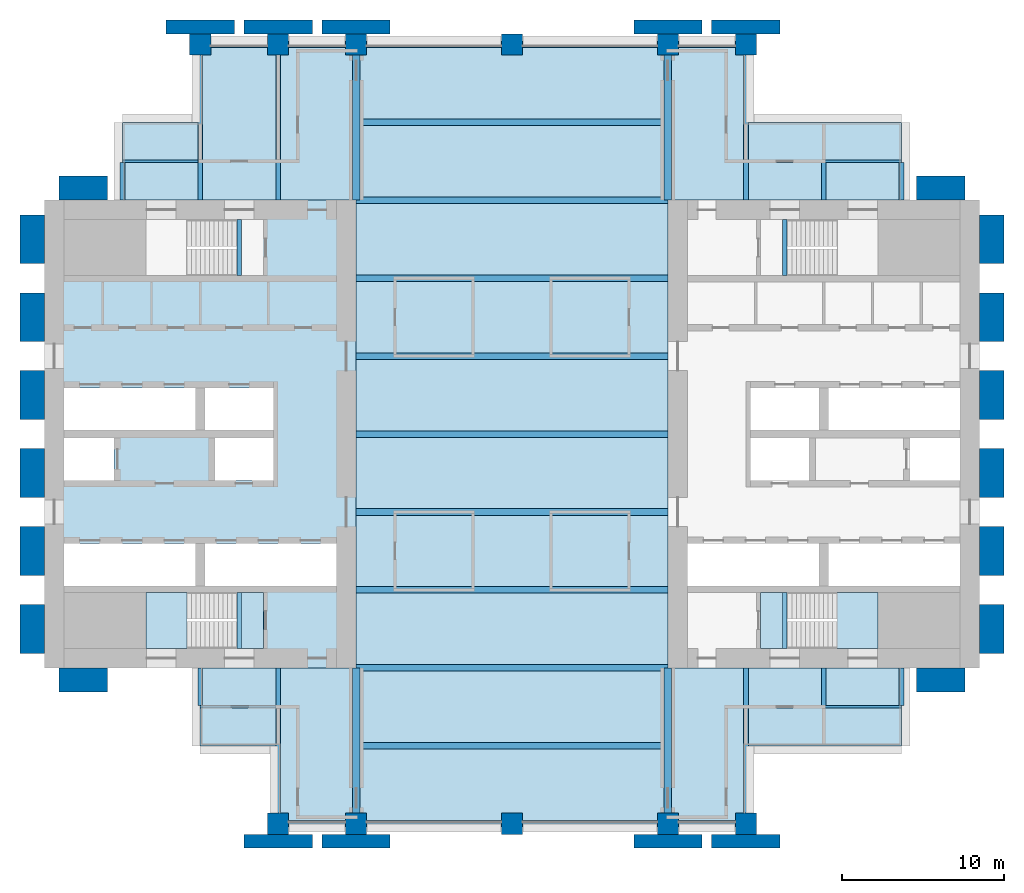
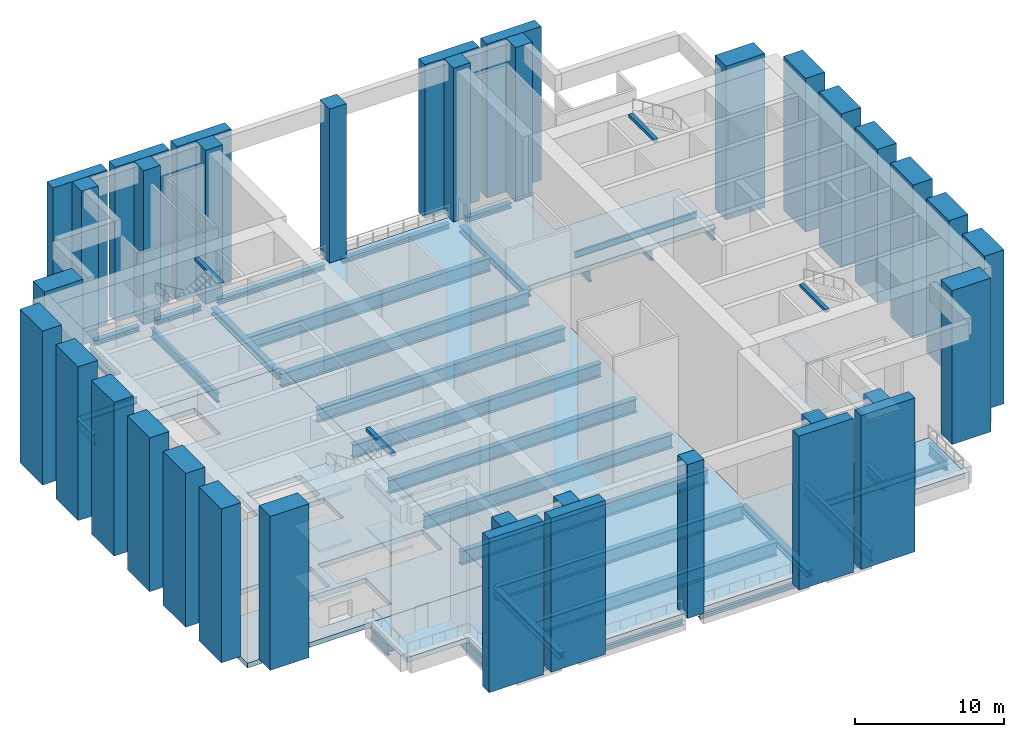
# One storey, part 1 of 10: 41 beams, 36 columns, 10 slabs, 2 elements without a shape of their own.
"""IFC4 building model written with IfcOpenShell, lengths in metres."""

import ifcopenshell
import ifcopenshell.guid

model = None  # the IFC model being written
_history = None  # IfcOwnerHistory: only IFC2X3 demands one
_inside = {}  # id of a spatial element -> (the spatial element, [elements in it])
_under = {}  # id of a project, library or spatial element -> (it, [spatial elements below it])
_declared = {}  # id of a project -> (the project, [libraries it declares])
_typed = {}  # id of a type object -> (the type object, [elements of that type])
_made_of = {}  # id of a material, layer set ... -> (it, [elements and type objects made of it])


def new_model(schema):
    """Start an empty IFC model of exactly this schema.

    Asked for "IFC4X3", IfcOpenShell would pick the latest addendum, in which some entities
    have other attributes; the version numbers below select the first issue.
    IFC2X3 requires an IfcOwnerHistory on every rooted entity: one is made here for all.
    """
    global model, _history
    if schema == "IFC4X3":
        model = ifcopenshell.file(schema_version=(4, 3, 0, 0))
    else:
        model = ifcopenshell.file(schema=schema)
    _inside.clear()
    _under.clear()
    _declared.clear()
    _typed.clear()
    _made_of.clear()
    _history = None
    if model.schema == "IFC2X3":
        org = make("IfcOrganization", Name="unknown")
        user = make(
            "IfcPersonAndOrganization",
            ThePerson=make("IfcPerson", FamilyName="unknown"),
            TheOrganization=org,
        )
        app = make(
            "IfcApplication",
            ApplicationDeveloper=org,
            Version="unknown",
            ApplicationFullName="unknown",
            ApplicationIdentifier="unknown",
        )
        _history = make(
            "IfcOwnerHistory",
            OwningUser=user,
            OwningApplication=app,
            ChangeAction="ADDED",
            CreationDate=0,
        )
    return model


def make(cls, **values):
    """One entity of the class cls with the attributes given. An attribute that is None is left unset."""
    return model.create_entity(
        cls, **{name: value for name, value in values.items() if value is not None}
    )


def rooted(cls, **values):
    """An entity with a GlobalId (a new one), such as an element, a storey or a relation."""
    return make(cls, GlobalId=ifcopenshell.guid.new(), OwnerHistory=_history, **values)


def si_unit(unit_type, name, prefix=None):
    """IfcSIUnit, for example si_unit("LENGTHUNIT", "METRE", prefix="MILLI")."""
    return make("IfcSIUnit", UnitType=unit_type, Prefix=prefix, Name=name)


def assignment(units):
    """IfcUnitAssignment: the units of a project."""
    return None if units is None else make("IfcUnitAssignment", Units=units)


def point(xyz):
    """IfcCartesianPoint."""
    return None if xyz is None else make("IfcCartesianPoint", Coordinates=xyz)


def direction(xyz):
    """IfcDirection."""
    return None if xyz is None else make("IfcDirection", DirectionRatios=xyz)


def frame(location, z_axis=None, x_axis=None):
    """IfcAxis2Placement3D, a coordinate frame: its origin and axes. An axis left out is left unset."""
    return make(
        "IfcAxis2Placement3D",
        Location=point(location),
        Axis=direction(z_axis),
        RefDirection=direction(x_axis),
    )


def frame_2d(location, x_axis=None):
    """IfcAxis2Placement2D, a coordinate frame in the plane: its origin and x axis."""
    return make(
        "IfcAxis2Placement2D", Location=point(location), RefDirection=direction(x_axis)
    )


def origin():
    """The frame at (0, 0, 0) with its axes left unset."""
    return frame((0.0, 0.0, 0.0))


def origin_2d():
    """The frame at (0, 0) in the plane with its x axis left unset."""
    return frame_2d((0.0, 0.0))


def place(relative_to, where):
    """IfcLocalPlacement: puts the frame where relative to a parent placement (None: the world)."""
    return make(
        "IfcLocalPlacement", PlacementRelTo=relative_to, RelativePlacement=where
    )


def context(
    kind, dimensions, precision=None, world=None, true_north=None, identifier=None
):
    """IfcGeometricRepresentationContext, for example the 3D "Model" context."""
    return make(
        "IfcGeometricRepresentationContext",
        ContextIdentifier=identifier,
        ContextType=kind,
        CoordinateSpaceDimension=dimensions,
        Precision=precision,
        WorldCoordinateSystem=world,
        TrueNorth=true_north,
    )


def subcontext(parent, identifier, kind, view, scale=None):
    """IfcGeometricRepresentationSubContext, for example "Body" below "Model"."""
    return make(
        "IfcGeometricRepresentationSubContext",
        ContextIdentifier=identifier,
        ContextType=kind,
        ParentContext=parent,
        TargetScale=scale,
        TargetView=view,
    )


def project(units=None, contexts=None):
    """IfcProject with its units and contexts."""
    return rooted(
        "IfcProject",
        Name="project",
        RepresentationContexts=contexts,
        UnitsInContext=assignment(units),
    )


def spatial(cls, under=None, at=None, **own):
    """A site, building, storey or space (cls), placed at a placement, below another one or the project."""
    s = rooted(cls, ObjectPlacement=at, **own)
    if under is not None:
        _under.setdefault(under.id(), (under, []))[1].append(s)
    return s


def polyline(points):
    """IfcPolyline through the points."""
    return make("IfcPolyline", Points=[point(p) for p in points])


def profile(cls, at=None, kind="AREA", **sizes):
    """A parametric profile (cls). Its sizes go by their IFC names, for example OverallWidth=200.0."""
    return make(cls, ProfileType=kind, Position=at, **sizes)


def rectangle(**sizes):
    """IfcRectangleProfileDef."""
    return profile("IfcRectangleProfileDef", **sizes)


def i_section(**sizes):
    """IfcIShapeProfileDef."""
    return profile("IfcIShapeProfileDef", **sizes)


def outline(outer, holes=None, kind="AREA"):
    """IfcArbitraryClosedProfileDef: a profile drawn as a closed curve; with holes, ...WithVoids."""
    if holes is None:
        return make("IfcArbitraryClosedProfileDef", ProfileType=kind, OuterCurve=outer)
    return make(
        "IfcArbitraryProfileDefWithVoids",
        ProfileType=kind,
        OuterCurve=outer,
        InnerCurves=holes,
    )


def extrude(swept, where, along, depth):
    """IfcExtrudedAreaSolid: the profile swept, set in the frame where, extruded along a direction by depth."""
    return make(
        "IfcExtrudedAreaSolid",
        SweptArea=swept,
        Position=where,
        ExtrudedDirection=direction(along),
        Depth=depth,
    )


def shape(context_of_items, identifier, shape_type, items):
    """IfcShapeRepresentation: the items that make up one representation, for example the "Body"."""
    return make(
        "IfcShapeRepresentation",
        ContextOfItems=context_of_items,
        RepresentationIdentifier=identifier,
        RepresentationType=shape_type,
        Items=items,
    )


def material(Name=None, Category=None):
    """IfcMaterial."""
    return make("IfcMaterial", Name=Name, Category=Category)


def layer(
    of_material, thickness, ventilated=None, Name=None, Category=None, Priority=None
):
    """IfcMaterialLayer: one layer of a wall or slab, of a material (None: an air gap)."""
    return make(
        "IfcMaterialLayer",
        Material=of_material,
        LayerThickness=thickness,
        IsVentilated=ventilated,
        Name=Name,
        Category=Category,
        Priority=Priority,
    )


def layer_set(layers, Name=None):
    """IfcMaterialLayerSet."""
    return make("IfcMaterialLayerSet", MaterialLayers=layers, LayerSetName=Name)


def material_profile(
    of_material, cross_section, Name=None, Category=None, Priority=None
):
    """IfcMaterialProfile: a cross section and its material."""
    return make(
        "IfcMaterialProfile",
        Name=Name,
        Material=of_material,
        Profile=cross_section,
        Priority=Priority,
        Category=Category,
    )


def profile_set(profiles, Name=None, composite=None):
    """IfcMaterialProfileSet."""
    return make(
        "IfcMaterialProfileSet",
        Name=Name,
        MaterialProfiles=profiles,
        CompositeProfile=composite,
    )


def made_of(thing, what):
    """Note that an element or type object is made of a material, layer set ...; save() writes the relation."""
    if what is not None:
        _made_of.setdefault(what.id(), (what, []))[1].append(thing)
    return thing


def type_object(cls, material=None, **own):
    """A type object (cls), such as IfcWallType, which elements share."""
    return made_of(rooted(cls, **own), material)


def element(
    cls,
    number,
    at=None,
    inside=None,
    cuts=None,
    type_object=None,
    material=None,
    context=None,
    identifier="Body",
    shape_type=None,
    held_by="IfcProductDefinitionShape",
    body=None,
    shapes=None,
    **own,
):
    """One element of the class cls, such as IfcWall. Its Tag is "e" and its number.

    at: its placement. inside: the storey or other place that contains it. cuts: it is an
    opening in that element (IfcRelVoidsElement). A single representation is given by context,
    identifier, shape_type and body (its items); several are given by shapes. held_by: the class
    of the entity that holds the representations. save() writes the other relations.
    """
    e = rooted(cls, Tag="e%d" % number, ObjectPlacement=at, **own)
    if body is not None:
        shapes = [shape(context, identifier, shape_type, body)]
    if shapes is not None:
        e.Representation = make(held_by, Representations=shapes)
    if inside is not None:
        _inside.setdefault(inside.id(), (inside, []))[1].append(e)
    if cuts is not None:
        rooted(
            "IfcRelVoidsElement", RelatingBuildingElement=cuts, RelatedOpeningElement=e
        )
    if type_object is not None:
        _typed.setdefault(type_object.id(), (type_object, []))[1].append(e)
    return made_of(e, material)


def aggregate(whole, parts):
    """IfcRelAggregates: a whole, such as a stair, and the parts it consists of."""
    return rooted("IfcRelAggregates", RelatingObject=whole, RelatedObjects=parts)


def save(model, path):
    """Write the relations noted so far, then the file.

    IfcRelAggregates (storeys below a building ...), IfcRelContainedInSpatialStructure (elements
    in a storey), IfcRelDefinesByType, IfcRelAssociatesMaterial and IfcRelDeclares: one each for
    every whole, place, type object, material and project.
    """
    for whole, parts in _under.values():
        aggregate(whole, parts)
    for where, things in _inside.values():
        rooted(
            "IfcRelContainedInSpatialStructure",
            RelatedElements=things,
            RelatingStructure=where,
        )
    for kind, things in _typed.values():
        rooted("IfcRelDefinesByType", RelatedObjects=things, RelatingType=kind)
    for what, things in _made_of.values():
        rooted("IfcRelAssociatesMaterial", RelatedObjects=things, RelatingMaterial=what)
    for by, libraries in _declared.values():
        rooted("IfcRelDeclares", RelatingContext=by, RelatedDefinitions=libraries)
    model.write(path)


model = new_model("IFC4")

# Units and contexts
model_context = context("Model", 3, precision=1e-05, world=origin(), true_north=direction((0.0, 1.0)))
body_context = subcontext(model_context, "Body", "Model", "MODEL_VIEW")
ifc_project = project(units=[si_unit("LENGTHUNIT", "METRE"), si_unit("AREAUNIT", "SQUARE_METRE"), si_unit("VOLUMEUNIT", "CUBIC_METRE"), si_unit("PLANEANGLEUNIT", "RADIAN"), si_unit("MASSUNIT", "GRAM", prefix="KILO")], contexts=[model_context])

# Site, building, storey
site_placement = place(None, origin())
site = spatial("IfcSite", under=ifc_project, at=site_placement, CompositionType="ELEMENT")
building_placement = place(site_placement, origin())
building = spatial("IfcBuilding", under=site, at=building_placement, Name="Baori Bourse Tower", CompositionType="ELEMENT")
storey_placement = place(building_placement, frame((0.0, 0.0, 91.5)))
storey = spatial("IfcBuildingStorey", under=building, at=storey_placement, Name="L20", CompositionType="ELEMENT", Elevation=91.5)

# Columns
ifc_material_1 = material(Name="Concrete f'c 60 MPa", Category="concrete")
ifc_material_profile_1 = material_profile(ifc_material_1, rectangle(XDim=4.199951171875, YDim=0.85009765625, at=origin_2d()), Name="RC 4200x850")
ifc_profile_set_1 = profile_set([ifc_material_profile_1], Name="Concrete f'c 60 MPa")
column_type_1 = type_object("IfcColumnType", Name="FN3 Brick pilaster 4200x850", PredefinedType="PILASTER", material=ifc_profile_set_1)
for number, where, z_axis, x_axis, name in (
    (1, (14.39990234375, -1.074951171875, 0.0), (0.0, 0.0, 1.0), (1.0, 0.0, 0.0), "Brick pilaster L20 17"),
    (2, (19.199951171875, -1.074951171875, 0.0), (0.0, 0.0, 1.0), (1.0, 0.0, 0.0), "Brick pilaster L20 18"),
    (3, (38.39990234375, -1.074951171875, 0.0), (0.0, 0.0, 1.0), (1.0, 0.0, 0.0), "Brick pilaster L20 19"),
    (4, (43.199951171875, -1.074951171875, 0.0), (0.0, 0.0, 1.0), (1.0, 0.0, 0.0), "Brick pilaster L20 20"),
    (5, (9.60009765625, 49.074951171875, 0.0), (0.0, 0.0, 1.0), (1.0, 0.0, 0.0), "Brick pilaster L20 21"),
    (6, (14.39990234375, 49.074951171875, 0.0), (0.0, 0.0, 1.0), (1.0, 0.0, 0.0), "Brick pilaster L20 22"),
    (7, (19.199951171875, 49.074951171875, 0.0), (0.0, 0.0, 1.0), (1.0, 0.0, 0.0), "Brick pilaster L20 23"),
    (8, (38.39990234375, 49.074951171875, 0.0), (0.0, 0.0, 1.0), (1.0, 0.0, 0.0), "Brick pilaster L20 24"),
    (9, (43.199951171875, 49.074951171875, 0.0), (0.0, 0.0, 1.0), (1.0, 0.0, 0.0), "Brick pilaster L20 25"),
):
    element("IfcColumn", number, at=place(storey_placement, frame(where, z_axis=z_axis, x_axis=x_axis)), inside=storey, type_object=column_type_1, Name=name, PredefinedType="PILASTER", context=body_context, shape_type="SweptSolid", body=[
        extrude(rectangle(XDim=4.199951171875, YDim=0.85009765625, at=origin_2d()), origin(), (0.0, 0.0, 1.0), 12.60009765625),
    ])
ifc_material_2 = material(Name="Concrete f'c 60 MPa", Category="concrete")
ifc_material_profile_2 = material_profile(ifc_material_2, rectangle(XDim=3.0, YDim=1.5, at=origin_2d()), Name="RC 3000x1500")
ifc_profile_set_2 = profile_set([ifc_material_profile_2], Name="Concrete f'c 60 MPa")
column_type_2 = type_object("IfcColumnType", Name="FN4 Brick flank pilaster 3000x1500", PredefinedType="PILASTER", material=ifc_profile_set_2)
for number, where, z_axis, x_axis, name in (
    (10, (55.199951171875, 8.85009765625, 0.0), (0.0, 0.0, 1.0), (1.0, 0.0, 0.0), "Brick pilaster L20 1"),
    (11, (58.35009765625, 12.0, 0.0), (0.0, 0.0, 1.0), (0.0, 1.0, 0.0), "Brick pilaster L20 2"),
    (12, (58.35009765625, 16.800048828125, 0.0), (0.0, 0.0, 1.0), (0.0, 1.0, 0.0), "Brick pilaster L20 3"),
    (13, (58.35009765625, 21.60009765625, 0.0), (0.0, 0.0, 1.0), (0.0, 1.0, 0.0), "Brick pilaster L20 4"),
    (14, (58.35009765625, 26.39990234375, 0.0), (0.0, 0.0, 1.0), (0.0, 1.0, 0.0), "Brick pilaster L20 5"),
    (15, (58.35009765625, 31.199951171875, 0.0), (0.0, 0.0, 1.0), (0.0, 1.0, 0.0), "Brick pilaster L20 6"),
    (16, (58.35009765625, 36.0, 0.0), (0.0, 0.0, 1.0), (0.0, 1.0, 0.0), "Brick pilaster L20 7"),
    (17, (55.199951171875, 39.14990234375, 0.0), (0.0, 0.0, 1.0), (1.0, 0.0, 0.0), "Brick pilaster L20 8"),
    (18, (2.39990234375, 39.14990234375, 0.0), (0.0, 0.0, 1.0), (1.0, 0.0, 0.0), "Brick pilaster L20 9"),
    (19, (-0.75, 12.0, 0.0), (0.0, 0.0, 1.0), (0.0, 1.0, 0.0), "Brick pilaster L20 10"),
    (20, (-0.75, 16.800048828125, 0.0), (0.0, 0.0, 1.0), (0.0, 1.0, 0.0), "Brick pilaster L20 11"),
    (21, (-0.75, 21.60009765625, 0.0), (0.0, 0.0, 1.0), (0.0, 1.0, 0.0), "Brick pilaster L20 12"),
    (22, (-0.75, 26.39990234375, 0.0), (0.0, 0.0, 1.0), (0.0, 1.0, 0.0), "Brick pilaster L20 13"),
    (23, (-0.75, 31.199951171875, 0.0), (0.0, 0.0, 1.0), (0.0, 1.0, 0.0), "Brick pilaster L20 14"),
    (24, (-0.75, 36.0, 0.0), (0.0, 0.0, 1.0), (0.0, 1.0, 0.0), "Brick pilaster L20 15"),
    (25, (2.39990234375, 8.85009765625, 0.0), (0.0, 0.0, 1.0), (1.0, 0.0, 0.0), "Brick pilaster L20 16"),
):
    element("IfcColumn", number, at=place(storey_placement, frame(where, z_axis=z_axis, x_axis=x_axis)), inside=storey, type_object=column_type_2, Name=name, PredefinedType="PILASTER", context=body_context, shape_type="SweptSolid", body=[
        extrude(rectangle(XDim=3.0, YDim=1.5, at=origin_2d()), origin(), (0.0, 0.0, 1.0), 12.60009765625),
    ])
ifc_material_3 = material(Name="Concrete f'c 70 MPa", Category="concrete")
ifc_material_profile_3 = material_profile(ifc_material_3, rectangle(XDim=1.300048828125, YDim=1.300048828125, at=origin_2d()), Name="RC 1300x1300")
ifc_profile_set_3 = profile_set([ifc_material_profile_3], Name="Concrete f'c 70 MPa")
column_type_3 = type_object("IfcColumnType", Name="Perimeter column RC 1300x1300", PredefinedType="COLUMN", material=ifc_profile_set_3)
for number, where, z_axis, x_axis, name in (
    (26, (14.39990234375, 0.0, 0.0), (0.0, 0.0, 1.0), (1.0, 0.0, 0.0), "Perimeter column L20"),
    (27, (19.199951171875, 0.0, 0.0), (0.0, 0.0, 1.0), (1.0, 0.0, 0.0), "Perimeter column L20"),
    (28, (28.800048828125, 0.0, 0.0), (0.0, 0.0, 1.0), (1.0, 0.0, 0.0), "Perimeter column L20"),
    (29, (38.39990234375, 0.0, 0.0), (0.0, 0.0, 1.0), (1.0, 0.0, 0.0), "Perimeter column L20"),
    (30, (43.199951171875, 0.0, 0.0), (0.0, 0.0, 1.0), (1.0, 0.0, 0.0), "Perimeter column L20"),
    (31, (9.60009765625, 48.0, 0.0), (0.0, 0.0, 1.0), (1.0, 0.0, 0.0), "Perimeter column L20"),
    (32, (14.39990234375, 48.0, 0.0), (0.0, 0.0, 1.0), (1.0, 0.0, 0.0), "Perimeter column L20"),
    (33, (19.199951171875, 48.0, 0.0), (0.0, 0.0, 1.0), (1.0, 0.0, 0.0), "Perimeter column L20"),
    (34, (28.800048828125, 48.0, 0.0), (0.0, 0.0, 1.0), (1.0, 0.0, 0.0), "Perimeter column L20"),
    (35, (38.39990234375, 48.0, 0.0), (0.0, 0.0, 1.0), (1.0, 0.0, 0.0), "Perimeter column L20"),
    (36, (43.199951171875, 48.0, 0.0), (0.0, 0.0, 1.0), (1.0, 0.0, 0.0), "Perimeter column L20"),
):
    element("IfcColumn", number, at=place(storey_placement, frame(where, z_axis=z_axis, x_axis=x_axis)), inside=storey, type_object=column_type_3, Name=name, PredefinedType="COLUMN", context=body_context, shape_type="SweptSolid", body=[
        extrude(rectangle(XDim=1.300048828125, YDim=1.300048828125, at=origin_2d()), origin(), (0.0, 0.0, 1.0), 12.60009765625),
    ])

# Beams
ifc_material_4 = material(Name="Steel A913 Gr 65", Category="steel")
ifc_material_profile_4 = material_profile(ifc_material_4, i_section(OverallWidth=0.4013671875, OverallDepth=0.398681640625, WebThickness=0.02490234375, FlangeThickness=0.03955078125, at=origin_2d()), Name="W14x211")
ifc_profile_set_4 = profile_set([ifc_material_profile_4], Name="Steel A913 Gr 65")
beam_type_1 = type_object("IfcBeamType", Name="Belt truss chord W14x211", PredefinedType="BEAM", material=ifc_profile_set_4)
beam_1_placement = place(storey_placement, frame((15.050048828125, 0.0, -0.599365234375), z_axis=(1.0, 0.0, 0.0), x_axis=(0.0, 1.0, 0.0)))
element("IfcBeam", 37, at=beam_1_placement, inside=storey, type_object=beam_type_1, Name="Belt truss chord L20", PredefinedType="BEAM", context=body_context, shape_type="SweptSolid", body=[
    extrude(i_section(OverallWidth=0.4013671875, OverallDepth=0.398681640625, WebThickness=0.02490234375, FlangeThickness=0.03955078125, at=origin_2d()), origin(), (0.0, 0.0, 1.0), 3.5),
])
beam_2_placement = place(storey_placement, frame((19.85009765625, 0.0, -0.599365234375), z_axis=(1.0, 0.0, 0.0), x_axis=(0.0, 1.0, 0.0)))
element("IfcBeam", 38, at=beam_2_placement, inside=storey, type_object=beam_type_1, Name="Belt truss chord L20", PredefinedType="BEAM", context=body_context, shape_type="SweptSolid", body=[
    extrude(i_section(OverallWidth=0.4013671875, OverallDepth=0.398681640625, WebThickness=0.02490234375, FlangeThickness=0.03955078125, at=origin_2d()), origin(), (0.0, 0.0, 1.0), 8.2998046875),
])
beam_3_placement = place(storey_placement, frame((29.449951171875, 0.0, -0.599365234375), z_axis=(1.0, 0.0, 0.0), x_axis=(0.0, 1.0, 0.0)))
element("IfcBeam", 39, at=beam_3_placement, inside=storey, type_object=beam_type_1, Name="Belt truss chord L20", PredefinedType="BEAM", context=body_context, shape_type="SweptSolid", body=[
    extrude(i_section(OverallWidth=0.4013671875, OverallDepth=0.398681640625, WebThickness=0.02490234375, FlangeThickness=0.03955078125, at=origin_2d()), origin(), (0.0, 0.0, 1.0), 8.300048828125),
])
for number, where, z_axis, x_axis, name in (
    (40, (39.050048828125, 0.0, -0.599365234375), (1.0, 0.0, 0.0), (0.0, 1.0, 0.0), "Belt truss chord L20"),
    (41, (10.25, 48.0, -0.599365234375), (1.0, 0.0, 0.0), (0.0, 1.0, 0.0), "Belt truss chord L20"),
    (42, (15.050048828125, 48.0, -0.599365234375), (1.0, 0.0, 0.0), (0.0, 1.0, 0.0), "Belt truss chord L20"),
):
    element("IfcBeam", number, at=place(storey_placement, frame(where, z_axis=z_axis, x_axis=x_axis)), inside=storey, type_object=beam_type_1, Name=name, PredefinedType="BEAM", context=body_context, shape_type="SweptSolid", body=[
        extrude(i_section(OverallWidth=0.4013671875, OverallDepth=0.398681640625, WebThickness=0.02490234375, FlangeThickness=0.03955078125, at=origin_2d()), origin(), (0.0, 0.0, 1.0), 3.5),
    ])
beam_4_placement = place(storey_placement, frame((19.85009765625, 48.0, -0.599365234375), z_axis=(1.0, 0.0, 0.0), x_axis=(0.0, 1.0, 0.0)))
element("IfcBeam", 43, at=beam_4_placement, inside=storey, type_object=beam_type_1, Name="Belt truss chord L20", PredefinedType="BEAM", context=body_context, shape_type="SweptSolid", body=[
    extrude(i_section(OverallWidth=0.4013671875, OverallDepth=0.398681640625, WebThickness=0.02490234375, FlangeThickness=0.03955078125, at=origin_2d()), origin(), (0.0, 0.0, 1.0), 8.2998046875),
])
beam_5_placement = place(storey_placement, frame((29.449951171875, 48.0, -0.599365234375), z_axis=(1.0, 0.0, 0.0), x_axis=(0.0, 1.0, 0.0)))
element("IfcBeam", 44, at=beam_5_placement, inside=storey, type_object=beam_type_1, Name="Belt truss chord L20", PredefinedType="BEAM", context=body_context, shape_type="SweptSolid", body=[
    extrude(i_section(OverallWidth=0.4013671875, OverallDepth=0.398681640625, WebThickness=0.02490234375, FlangeThickness=0.03955078125, at=origin_2d()), origin(), (0.0, 0.0, 1.0), 8.300048828125),
])
beam_6_placement = place(storey_placement, frame((39.050048828125, 48.0, -0.599365234375), z_axis=(1.0, 0.0, 0.0), x_axis=(0.0, 1.0, 0.0)))
element("IfcBeam", 45, at=beam_6_placement, inside=storey, type_object=beam_type_1, Name="Belt truss chord L20", PredefinedType="BEAM", context=body_context, shape_type="SweptSolid", body=[
    extrude(i_section(OverallWidth=0.4013671875, OverallDepth=0.398681640625, WebThickness=0.02490234375, FlangeThickness=0.03955078125, at=origin_2d()), origin(), (0.0, 0.0, 1.0), 3.5),
])
ifc_material_5 = material(Name="Steel A992 Gr 50", Category="steel")
ifc_material_profile_5 = material_profile(ifc_material_5, i_section(OverallWidth=0.3046875, OverallDepth=0.904296875, WebThickness=0.01513671875, FlangeThickness=0.02001953125, at=origin_2d()), Name="W36x135")
ifc_profile_set_5 = profile_set([ifc_material_profile_5], Name="Steel A992 Gr 50")
beam_type_2 = type_object("IfcBeamType", Name="Core bracket W36x135", PredefinedType="BEAM", material=ifc_profile_set_5)
for number, where, z_axis, x_axis, name in (
    (46, (4.800048828125, 38.39990234375, -0.85205078125), (0.0, 1.0, 0.0), (-1.0, 0.0, 0.0), "Core bracket L20"),
    (47, (9.60009765625, 7.282470703125, -0.85205078125), (0.0, 1.0, 0.0), (-1.0, 0.0, 0.0), "Core bracket L20"),
    (48, (48.0, 7.282470703125, -0.85205078125), (0.0, 1.0, 0.0), (-1.0, 0.0, 0.0), "Core bracket L20"),
    (49, (48.0, 38.39990234375, -0.85205078125), (0.0, 1.0, 0.0), (-1.0, 0.0, 0.0), "Core bracket L20"),
    (50, (52.800048828125, 7.282470703125, -0.85205078125), (0.0, 1.0, 0.0), (-1.0, 0.0, 0.0), "Core bracket L20"),
    (51, (52.800048828125, 38.39990234375, -0.85205078125), (0.0, 1.0, 0.0), (-1.0, 0.0, 0.0), "Core bracket L20"),
):
    element("IfcBeam", number, at=place(storey_placement, frame(where, z_axis=z_axis, x_axis=x_axis)), inside=storey, type_object=beam_type_2, Name=name, PredefinedType="BEAM", context=body_context, shape_type="SweptSolid", body=[
        extrude(i_section(OverallWidth=0.3046875, OverallDepth=0.904296875, WebThickness=0.01513671875, FlangeThickness=0.02001953125, at=origin_2d()), origin(), (0.0, 0.0, 1.0), 2.317626953125),
    ])
ifc_material_6 = material(Name="Steel A992 Gr 50", Category="steel")
ifc_material_profile_6 = material_profile(ifc_material_6, i_section(OverallWidth=0.2666015625, OverallDepth=0.7568359375, WebThickness=0.013916015625, FlangeThickness=0.019287109375, at=origin_2d()), Name="W30x108")
ifc_profile_set_6 = profile_set([ifc_material_profile_6], Name="Steel A992 Gr 50")
beam_type_3 = type_object("IfcBeamType", Name="Floor beam W30x108", PredefinedType="BEAM", material=ifc_profile_set_6)
beam_7_placement = place(storey_placement, frame((14.39990234375, 38.39990234375, -0.778564453125), z_axis=(0.0, 1.0, 0.0), x_axis=(-1.0, 0.0, 0.0)))
element("IfcBeam", 52, at=beam_7_placement, inside=storey, type_object=beam_type_3, Name="Floor beam L20", PredefinedType="BEAM", context=body_context, shape_type="SweptSolid", body=[
    extrude(i_section(OverallWidth=0.2666015625, OverallDepth=0.7568359375, WebThickness=0.013916015625, FlangeThickness=0.019287109375, at=origin_2d()), origin(), (0.0, 0.0, 1.0), 8.9501953125),
])
ifc_material_7 = material(Name="Steel A992 Gr 50", Category="steel")
ifc_material_profile_7 = material_profile(ifc_material_7, i_section(OverallWidth=0.2919921875, OverallDepth=0.835693359375, WebThickness=0.013916015625, FlangeThickness=0.018798828125, at=origin_2d()), Name="W33x118")
ifc_profile_set_7 = profile_set([ifc_material_profile_7], Name="Steel A992 Gr 50")
beam_type_4 = type_object("IfcBeamType", Name="Floor beam W33x118", PredefinedType="BEAM", material=ifc_profile_set_7)
for number, where, z_axis, x_axis, name in (
    (53, (9.60009765625, 38.39990234375, -0.81787109375), (0.0, 1.0, 0.0), (-1.0, 0.0, 0.0), "Floor beam L20"),
    (54, (14.39990234375, 0.64990234375, -0.81787109375), (0.0, 1.0, 0.0), (-1.0, 0.0, 0.0), "Floor beam L20"),
):
    element("IfcBeam", number, at=place(storey_placement, frame(where, z_axis=z_axis, x_axis=x_axis)), inside=storey, type_object=beam_type_4, Name=name, PredefinedType="BEAM", context=body_context, shape_type="SweptSolid", body=[
        extrude(i_section(OverallWidth=0.2919921875, OverallDepth=0.835693359375, WebThickness=0.013916015625, FlangeThickness=0.018798828125, at=origin_2d()), origin(), (0.0, 0.0, 1.0), 8.9501953125),
    ])
ifc_material_8 = material(Name="Steel A992 Gr 50", Category="steel")
ifc_material_profile_8 = material_profile(ifc_material_8, i_section(OverallWidth=0.2998046875, OverallDepth=0.97021484375, WebThickness=0.01611328125, FlangeThickness=0.02099609375, at=origin_2d()), Name="W40x149")
ifc_profile_set_8 = profile_set([ifc_material_profile_8], Name="Steel A992 Gr 50")
beam_type_5 = type_object("IfcBeamType", Name="Floor beam W40x149", PredefinedType="BEAM", material=ifc_profile_set_8)
for number, where, z_axis, x_axis, name in (
    (55, (43.199951171875, 0.64990234375, -0.88525390625), (0.0, 1.0, 0.0), (-1.0, 0.0, 0.0), "Floor beam L20"),
    (56, (43.199951171875, 38.39990234375, -0.88525390625), (0.0, 1.0, 0.0), (-1.0, 0.0, 0.0), "Floor beam L20"),
):
    element("IfcBeam", number, at=place(storey_placement, frame(where, z_axis=z_axis, x_axis=x_axis)), inside=storey, type_object=beam_type_5, Name=name, PredefinedType="BEAM", context=body_context, shape_type="SweptSolid", body=[
        extrude(i_section(OverallWidth=0.2998046875, OverallDepth=0.97021484375, WebThickness=0.01611328125, FlangeThickness=0.02099609375, at=origin_2d()), origin(), (0.0, 0.0, 1.0), 8.9501953125),
    ])
ifc_material_9 = material(Name="Steel A992 Gr 50", Category="steel")
ifc_material_profile_9 = material_profile(ifc_material_9, i_section(OverallWidth=0.4013671875, OverallDepth=1.107421875, WebThickness=0.02197265625, FlangeThickness=0.0400390625, at=origin_2d()), Name="W44x290")
ifc_profile_set_9 = profile_set([ifc_material_profile_9], Name="Steel A992 Gr 50")
beam_type_6 = type_object("IfcBeamType", Name="Floor beam W44x290", PredefinedType="BEAM", material=ifc_profile_set_9)
beam_8_placement = place(storey_placement, frame((19.42724609375, 4.800048828125, -0.95361328125), z_axis=(1.0, 0.0, 0.0), x_axis=(0.0, 1.0, 0.0)))
element("IfcBeam", 57, at=beam_8_placement, inside=storey, type_object=beam_type_6, Name="Floor beam L20", PredefinedType="BEAM", context=body_context, shape_type="SweptSolid", body=[
    extrude(i_section(OverallWidth=0.4013671875, OverallDepth=1.107421875, WebThickness=0.02197265625, FlangeThickness=0.0400390625, at=origin_2d()), origin(), (0.0, 0.0, 1.0), 18.745361328125),
])
for number, where, z_axis, x_axis, name in (
    (58, (19.199951171875, 9.60009765625, -0.95361328125), (1.0, 0.0, 0.0), (0.0, 1.0, 0.0), "Floor beam L20"),
    (59, (19.199951171875, 14.39990234375, -0.95361328125), (1.0, 0.0, 0.0), (0.0, 1.0, 0.0), "Floor beam L20"),
    (60, (19.199951171875, 19.199951171875, -0.95361328125), (1.0, 0.0, 0.0), (0.0, 1.0, 0.0), "Floor beam L20"),
    (61, (19.199951171875, 24.0, -0.95361328125), (1.0, 0.0, 0.0), (0.0, 1.0, 0.0), "Floor beam L20"),
    (62, (19.199951171875, 28.800048828125, -0.95361328125), (1.0, 0.0, 0.0), (0.0, 1.0, 0.0), "Floor beam L20"),
    (63, (19.199951171875, 33.60009765625, -0.95361328125), (1.0, 0.0, 0.0), (0.0, 1.0, 0.0), "Floor beam L20"),
    (64, (19.199951171875, 38.39990234375, -0.95361328125), (1.0, 0.0, 0.0), (0.0, 1.0, 0.0), "Floor beam L20"),
):
    element("IfcBeam", number, at=place(storey_placement, frame(where, z_axis=z_axis, x_axis=x_axis)), inside=storey, type_object=beam_type_6, Name=name, PredefinedType="BEAM", context=body_context, shape_type="SweptSolid", body=[
        extrude(i_section(OverallWidth=0.4013671875, OverallDepth=1.107421875, WebThickness=0.02197265625, FlangeThickness=0.0400390625, at=origin_2d()), origin(), (0.0, 0.0, 1.0), 19.199951171875),
    ])
beam_9_placement = place(storey_placement, frame((19.42724609375, 43.199951171875, -0.95361328125), z_axis=(1.0, 0.0, 0.0), x_axis=(0.0, 1.0, 0.0)))
element("IfcBeam", 65, at=beam_9_placement, inside=storey, type_object=beam_type_6, Name="Floor beam L20", PredefinedType="BEAM", context=body_context, shape_type="SweptSolid", body=[
    extrude(i_section(OverallWidth=0.4013671875, OverallDepth=1.107421875, WebThickness=0.02197265625, FlangeThickness=0.0400390625, at=origin_2d()), origin(), (0.0, 0.0, 1.0), 18.745361328125),
])
ifc_material_10 = material(Name="Steel A913 Gr 65", Category="steel")
ifc_material_profile_10 = material_profile(ifc_material_10, i_section(OverallWidth=0.45458984375, OverallDepth=0.56884765625, WebThickness=0.077880859375, FlangeThickness=0.124755859375, at=origin_2d()), Name="W14x730")
ifc_profile_set_10 = profile_set([ifc_material_profile_10], Name="Steel A913 Gr 65")
beam_type_7 = type_object("IfcBeamType", Name="Outrigger truss chord W14x730", PredefinedType="BEAM", material=ifc_profile_set_10)
for number, where, z_axis, x_axis, name in (
    (66, (19.199951171875, 0.64990234375, -0.6845703125), (0.0, 1.0, 0.0), (-1.0, 0.0, 0.0), "Outrigger truss chord L20"),
    (67, (19.199951171875, 38.39990234375, -0.6845703125), (0.0, 1.0, 0.0), (-1.0, 0.0, 0.0), "Outrigger truss chord L20"),
    (68, (38.39990234375, 0.64990234375, -0.6845703125), (0.0, 1.0, 0.0), (-1.0, 0.0, 0.0), "Outrigger truss chord L20"),
    (69, (38.39990234375, 38.39990234375, -0.6845703125), (0.0, 1.0, 0.0), (-1.0, 0.0, 0.0), "Outrigger truss chord L20"),
):
    element("IfcBeam", number, at=place(storey_placement, frame(where, z_axis=z_axis, x_axis=x_axis)), inside=storey, type_object=beam_type_7, Name=name, PredefinedType="BEAM", context=body_context, shape_type="SweptSolid", body=[
        extrude(i_section(OverallWidth=0.45458984375, OverallDepth=0.56884765625, WebThickness=0.077880859375, FlangeThickness=0.124755859375, at=origin_2d()), origin(), (0.0, 0.0, 1.0), 8.9501953125),
    ])
ifc_material_11 = material(Name="Concrete f'c 50 MPa", Category="concrete")
ifc_material_profile_11 = material_profile(ifc_material_11, rectangle(XDim=0.300048828125, YDim=0.25, at=origin_2d()), Name="RC 300x250")
ifc_profile_set_11 = profile_set([ifc_material_profile_11], Name="Concrete f'c 50 MPa")
beam_type_8 = type_object("IfcBeamType", Name="Stair nib beam RC 300x250", PredefinedType="BEAM", material=ifc_profile_set_11)
for number, where, z_axis, x_axis, name in (
    (70, (12.0, 10.800048828125, 12.175048828125), (0.0, 1.0, 0.0), (-1.0, 0.0, 0.0), "Stair WA nib beam L21"),
    (71, (12.0, 33.75, 12.175048828125), (0.0, 1.0, 0.0), (-1.0, 0.0, 0.0), "Stair WB nib beam L21"),
    (72, (45.60009765625, 10.800048828125, 12.175048828125), (0.0, 1.0, 0.0), (-1.0, 0.0, 0.0), "Stair EA nib beam L21"),
    (73, (45.60009765625, 33.75, 12.175048828125), (0.0, 1.0, 0.0), (-1.0, 0.0, 0.0), "Stair EB nib beam L21"),
):
    element("IfcBeam", number, at=place(storey_placement, frame(where, z_axis=z_axis, x_axis=x_axis)), inside=storey, type_object=beam_type_8, Name=name, PredefinedType="BEAM", context=body_context, shape_type="SweptSolid", body=[
        extrude(rectangle(XDim=0.300048828125, YDim=0.25, at=origin_2d()), origin(), (0.0, 0.0, 1.0), 3.449951171875),
    ])
ifc_material_12 = material(Name="Steel A992 Gr 50", Category="steel")
ifc_material_profile_12 = material_profile(ifc_material_12, i_section(OverallWidth=0.1650390625, OverallDepth=0.52587890625, WebThickness=0.0087890625, FlangeThickness=0.011474609375, at=origin_2d()), Name="W21x44")
ifc_profile_set_12 = profile_set([ifc_material_profile_12], Name="Steel A992 Gr 50")
beam_type_9 = type_object("IfcBeamType", Name="Trimmer beam W21x44", PredefinedType="BEAM", material=ifc_profile_set_12)
beam_10_placement = place(storey_placement, frame((9.60009765625, 7.199951171875, -0.662841796875), z_axis=(1.0, 0.0, 0.0), x_axis=(0.0, 1.0, 0.0)))
element("IfcBeam", 74, at=beam_10_placement, inside=storey, type_object=beam_type_9, Name="Trimmer beam L20", PredefinedType="BEAM", context=body_context, shape_type="SweptSolid", body=[
    extrude(i_section(OverallWidth=0.1650390625, OverallDepth=0.52587890625, WebThickness=0.0087890625, FlangeThickness=0.011474609375, at=origin_2d()), origin(), (0.0, 0.0, 1.0), 4.65380859375),
])
beam_11_placement = place(storey_placement, frame((43.349853515625, 7.199951171875, -0.662841796875), z_axis=(1.0, 0.0, 0.0), x_axis=(0.0, 1.0, 0.0)))
element("IfcBeam", 75, at=beam_11_placement, inside=storey, type_object=beam_type_9, Name="Trimmer beam L20", PredefinedType="BEAM", context=body_context, shape_type="SweptSolid", body=[
    extrude(i_section(OverallWidth=0.1650390625, OverallDepth=0.52587890625, WebThickness=0.0087890625, FlangeThickness=0.011474609375, at=origin_2d()), origin(), (0.0, 0.0, 1.0), 9.4501953125),
])
beam_12_placement = place(storey_placement, frame((4.800048828125, 40.800048828125, -0.662841796875), z_axis=(1.0, 0.0, 0.0), x_axis=(0.0, 1.0, 0.0)))
element("IfcBeam", 76, at=beam_12_placement, inside=storey, type_object=beam_type_9, Name="Trimmer beam L20", PredefinedType="BEAM", context=body_context, shape_type="SweptSolid", body=[
    extrude(i_section(OverallWidth=0.1650390625, OverallDepth=0.52587890625, WebThickness=0.0087890625, FlangeThickness=0.011474609375, at=origin_2d()), origin(), (0.0, 0.0, 1.0), 4.65380859375),
])
beam_13_placement = place(storey_placement, frame((43.349853515625, 40.800048828125, -0.662841796875), z_axis=(1.0, 0.0, 0.0), x_axis=(0.0, 1.0, 0.0)))
element("IfcBeam", 77, at=beam_13_placement, inside=storey, type_object=beam_type_9, Name="Trimmer beam L20", PredefinedType="BEAM", context=body_context, shape_type="SweptSolid", body=[
    extrude(i_section(OverallWidth=0.1650390625, OverallDepth=0.52587890625, WebThickness=0.0087890625, FlangeThickness=0.011474609375, at=origin_2d()), origin(), (0.0, 0.0, 1.0), 9.4501953125),
])

# Slab
ifc_material_13 = material(Name="Concrete f'c 50 MPa", Category="concrete")
ifc_layer_1 = layer(ifc_material_13, 0.39990234375)
ifc_layer_set_1 = layer_set([ifc_layer_1], Name="Core slab 400")
slab_type_1 = type_object("IfcSlabType", Name="Core slab 400", PredefinedType="FLOOR", material=ifc_layer_set_1)
slab_1_placement = place(storey_placement, frame((0.0, 0.0, -0.39990234375)))
element("IfcSlab", 78, at=slab_1_placement, inside=storey, type_object=slab_type_1, Name="Core floor slab W01", PredefinedType="FLOOR", context=body_context, shape_type="SweptSolid", body=[
    extrude(outline(polyline([(19.199951171875, 9.60009765625), (19.199951171875, 38.39990234375), (0.0, 38.39990234375), (0.0, 9.60009765625), (19.199951171875, 9.60009765625)]), holes=[polyline([(9.89990234375, 14.64990234375), (9.89990234375, 17.25), (18.0, 17.25), (18.0, 14.64990234375), (9.89990234375, 14.64990234375)]), polyline([(10.5, 21.14990234375), (10.5, 23.75), (14.10009765625, 23.75), (14.10009765625, 21.14990234375), (10.5, 21.14990234375)]), polyline([(14.10009765625, 24.25), (9.89990234375, 24.25), (9.89990234375, 26.85009765625), (14.10009765625, 26.85009765625), (14.10009765625, 24.25)]), polyline([(6.25, 14.25), (11.84912109375, 14.25), (11.84912109375, 10.800048828125), (6.25, 10.800048828125), (6.25, 14.25)]), polyline([(11.84912109375, 37.199951171875), (11.84912109375, 33.75), (6.25, 33.75), (6.25, 37.199951171875), (11.84912109375, 37.199951171875)]), polyline([(1.199951171875, 26.85009765625), (9.300048828125, 26.85009765625), (9.300048828125, 24.25), (1.199951171875, 24.25), (1.199951171875, 26.85009765625)]), polyline([(9.300048828125, 14.64990234375), (1.199951171875, 14.64990234375), (1.199951171875, 17.25), (9.300048828125, 17.25), (9.300048828125, 14.64990234375)]), polyline([(4.300048828125, 23.75), (4.300048828125, 21.14990234375), (1.199951171875, 21.14990234375), (1.199951171875, 23.75), (4.300048828125, 23.75)])]), origin(), (0.0, 0.0, 1.0), 0.39990234375),
])

# Stair, slabs
ifc_material_14 = material(Name="Concrete f'c 50 MPa", Category="concrete")
stair_type = type_object("IfcStairType", Name="Core stair", PredefinedType="HALF_TURN_STAIR", material=ifc_material_14)
stair_1_placement = place(storey_placement, origin())
stair_1 = element("IfcStair", 79, at=stair_1_placement, inside=storey, type_object=stair_type, Name="L20 Stair WA", PredefinedType="HALF_TURN_STAIR")
ifc_material_15 = material(Name="Concrete f'c 50 MPa", Category="concrete")
slab_type_2 = type_object("IfcSlabType", Name="Core stair landing", PredefinedType="LANDING", material=ifc_material_15)
slab_2_placement = place(storey_placement, frame((0.0, 0.0, 1.89990234375)))
slab_2 = element("IfcSlab", 80, at=slab_2_placement, type_object=slab_type_2, Name="ST1 landing 1", PredefinedType="LANDING", context=body_context, shape_type="SweptSolid", body=[
    extrude(outline(polyline([(8.77001953125, 14.25), (6.25, 14.25), (6.25, 10.800048828125), (8.77001953125, 10.800048828125), (8.77001953125, 14.25)])), origin(), (0.0, 0.0, 1.0), 0.2001953125),
])
slab_3_placement = place(storey_placement, frame((0.0, 0.0, 4.0)))
slab_3 = element("IfcSlab", 81, at=slab_3_placement, type_object=slab_type_2, Name="ST1 landing 2", PredefinedType="LANDING", context=body_context, shape_type="SweptSolid", body=[
    extrude(outline(polyline([(13.5, 14.25), (11.85009765625, 14.25), (11.85009765625, 10.800048828125), (13.5, 10.800048828125), (13.5, 14.25)])), origin(), (0.0, 0.0, 1.0), 0.199951171875),
])
slab_4_placement = place(storey_placement, frame((0.0, 0.0, 6.10009765625)))
slab_4 = element("IfcSlab", 82, at=slab_4_placement, type_object=slab_type_2, Name="ST1 landing 3", PredefinedType="LANDING", context=body_context, shape_type="SweptSolid", body=[
    extrude(outline(polyline([(8.77001953125, 14.25), (6.25, 14.25), (6.25, 10.800048828125), (8.77001953125, 10.800048828125), (8.77001953125, 14.25)])), origin(), (0.0, 0.0, 1.0), 0.199951171875),
])
slab_5_placement = place(storey_placement, frame((0.0, 0.0, 8.199951171875)))
slab_5 = element("IfcSlab", 83, at=slab_5_placement, type_object=slab_type_2, Name="ST1 landing 4", PredefinedType="LANDING", context=body_context, shape_type="SweptSolid", body=[
    extrude(outline(polyline([(13.5, 14.25), (11.85009765625, 14.25), (11.85009765625, 10.800048828125), (13.5, 10.800048828125), (13.5, 14.25)])), origin(), (0.0, 0.0, 1.0), 0.199951171875),
])
slab_6_placement = place(storey_placement, frame((0.0, 0.0, 10.300048828125)))
slab_6 = element("IfcSlab", 84, at=slab_6_placement, type_object=slab_type_2, Name="ST1 landing 5", PredefinedType="LANDING", context=body_context, shape_type="SweptSolid", body=[
    extrude(outline(polyline([(8.77001953125, 14.25), (6.25, 14.25), (6.25, 10.800048828125), (8.77001953125, 10.800048828125), (8.77001953125, 14.25)])), origin(), (0.0, 0.0, 1.0), 0.199951171875),
])
aggregate(stair_1, [slab_2, slab_3, slab_4, slab_5, slab_6])

stair_2_placement = place(storey_placement, origin())
stair_2 = element("IfcStair", 85, at=stair_2_placement, inside=storey, type_object=stair_type, Name="L20 Stair EA", PredefinedType="HALF_TURN_STAIR")
slab_7_placement = place(storey_placement, frame((0.0, 0.0, 1.89990234375)))
slab_7 = element("IfcSlab", 86, at=slab_7_placement, type_object=slab_type_2, Name="ST3 landing 1", PredefinedType="LANDING", context=body_context, shape_type="SweptSolid", body=[
    extrude(outline(polyline([(48.830078125, 10.800048828125), (51.35009765625, 10.800048828125), (51.35009765625, 14.25), (48.830078125, 14.25), (48.830078125, 10.800048828125)])), origin(), (0.0, 0.0, 1.0), 0.2001953125),
])
slab_8_placement = place(storey_placement, frame((0.0, 0.0, 4.0)))
slab_8 = element("IfcSlab", 87, at=slab_8_placement, type_object=slab_type_2, Name="ST3 landing 2", PredefinedType="LANDING", context=body_context, shape_type="SweptSolid", body=[
    extrude(outline(polyline([(44.10009765625, 10.800048828125), (45.75, 10.800048828125), (45.75, 14.25), (44.10009765625, 14.25), (44.10009765625, 10.800048828125)])), origin(), (0.0, 0.0, 1.0), 0.199951171875),
])
slab_9_placement = place(storey_placement, frame((0.0, 0.0, 8.199951171875)))
slab_9 = element("IfcSlab", 88, at=slab_9_placement, type_object=slab_type_2, Name="ST3 landing 4", PredefinedType="LANDING", context=body_context, shape_type="SweptSolid", body=[
    extrude(outline(polyline([(44.10009765625, 10.800048828125), (45.75, 10.800048828125), (45.75, 14.25), (44.10009765625, 14.25), (44.10009765625, 10.800048828125)])), origin(), (0.0, 0.0, 1.0), 0.199951171875),
])
aggregate(stair_2, [slab_7, slab_8, slab_9])

# Slab
ifc_material_16 = material(Name="Concrete f'c 40 MPa", Category="concrete")
ifc_layer_2 = layer(ifc_material_16, 0.39990234375)
ifc_layer_set_2 = layer_set([ifc_layer_2], Name="Portal deck slab 400")
slab_type_3 = type_object("IfcSlabType", Name="Portal deck slab 400", PredefinedType="FLOOR", material=ifc_layer_set_2)
slab_10_placement = place(storey_placement, frame((0.0, 0.0, -0.39990234375)))
element("IfcSlab", 89, at=slab_10_placement, inside=storey, type_object=slab_type_3, Name="Portal deck slab L20", PredefinedType="FLOOR", context=body_context, shape_type="SweptSolid", body=[
    extrude(outline(polyline([(14.39990234375, 4.800048828125), (9.60009765625, 4.800048828125), (9.60009765625, 9.60009765625), (19.199951171875, 9.60009765625), (19.199951171875, 38.39990234375), (4.800048828125, 38.39990234375), (4.800048828125, 43.199951171875), (9.60009765625, 43.199951171875), (9.60009765625, 47.35009765625), (10.25, 47.35009765625), (10.25, 48.0), (13.75, 48.0), (13.75, 47.35009765625), (15.050048828125, 47.35009765625), (15.050048828125, 48.0), (18.550048828125, 48.0), (18.550048828125, 47.35009765625), (19.85009765625, 47.35009765625), (19.85009765625, 48.0), (28.14990234375, 48.0), (28.14990234375, 47.35009765625), (29.449951171875, 47.35009765625), (29.449951171875, 48.0), (37.75, 48.0), (37.75, 47.35009765625), (39.050048828125, 47.35009765625), (39.050048828125, 48.0), (42.550048828125, 48.0), (42.550048828125, 47.35009765625), (43.199951171875, 47.35009765625), (43.199951171875, 43.199951171875), (52.800048828125, 43.199951171875), (52.800048828125, 38.39990234375), (38.39990234375, 38.39990234375), (38.39990234375, 9.60009765625), (52.800048828125, 9.60009765625), (52.800048828125, 4.800048828125), (43.199951171875, 4.800048828125), (43.199951171875, 0.64990234375), (42.550048828125, 0.64990234375), (42.550048828125, 0.0), (39.050048828125, 0.0), (39.050048828125, 0.64990234375), (37.75, 0.64990234375), (37.75, 0.0), (29.449951171875, 0.0), (29.449951171875, 0.64990234375), (28.14990234375, 0.64990234375), (28.14990234375, 0.0), (19.85009765625, 0.0), (19.85009765625, 0.64990234375), (18.550048828125, 0.64990234375), (18.550048828125, 0.0), (15.050048828125, 0.0), (15.050048828125, 0.64990234375), (14.39990234375, 0.64990234375), (14.39990234375, 4.800048828125)])), origin(), (0.0, 0.0, 1.0), 0.39990234375),
])

save(model, "model.ifc")
